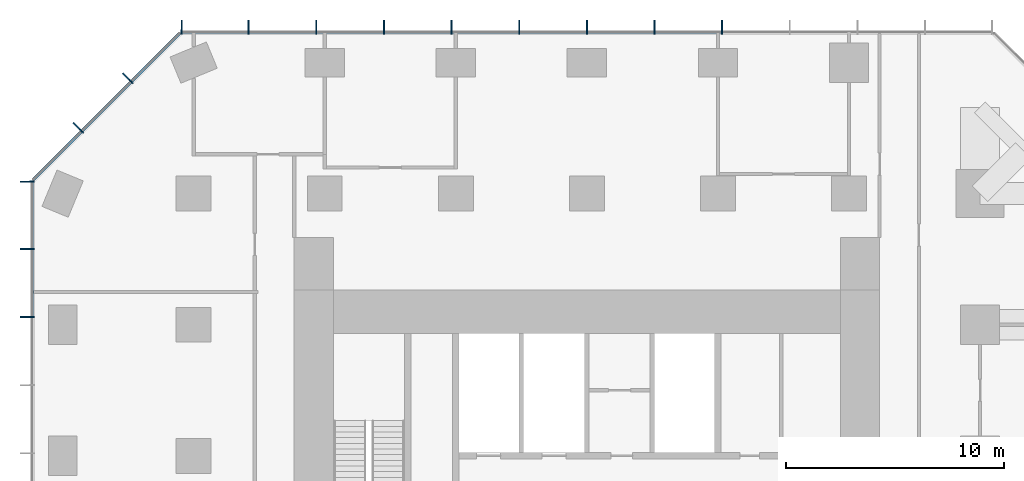
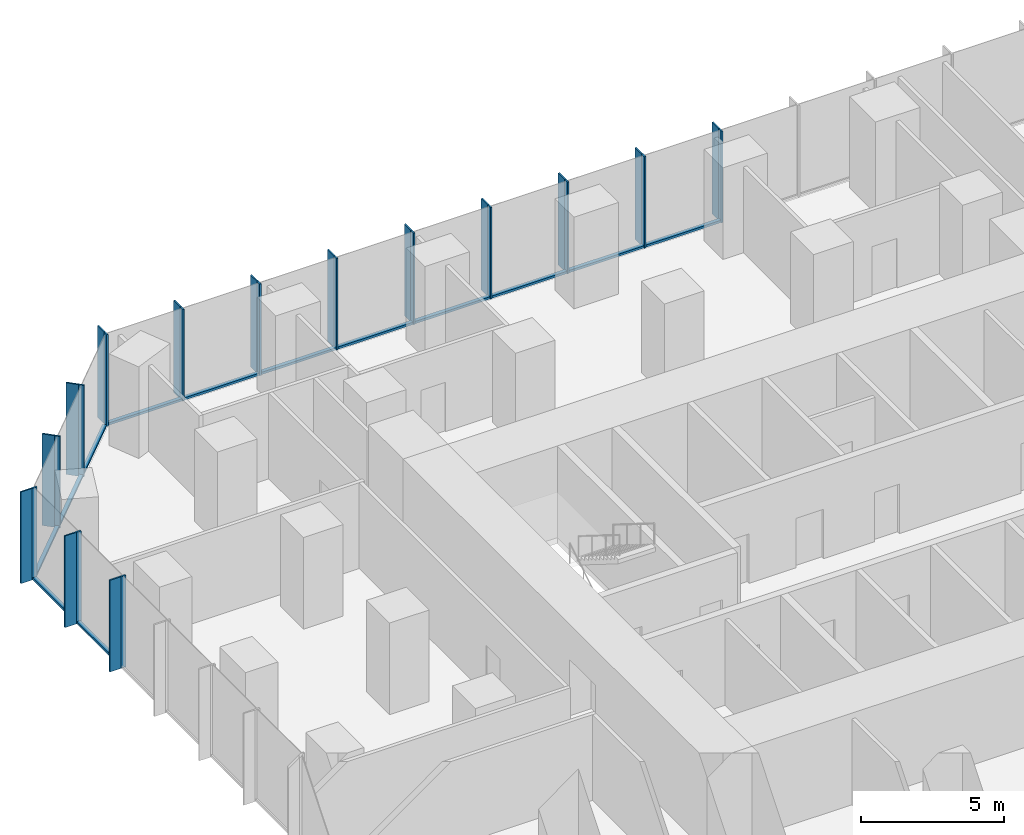
# One storey, part 5 of 11: 41 members, 3 elements without a shape of their own.
"""IFC4 building model written with IfcOpenShell, lengths in metres."""

from ifc_helpers import new_model, si_unit, direction, frame, origin, origin_2d, place, context, subcontext, project, spatial, rectangle, extrude, material, layer, layer_set, material_profile, profile_set, type_object, element, aggregate, save


model = new_model("IFC4")

# Units and contexts
model_context = context("Model", 3, precision=1e-05, world=origin(), true_north=direction((0.0, 1.0)))
body_context = subcontext(model_context, "Body", "Model", "MODEL_VIEW")
ifc_project = project(units=[si_unit("LENGTHUNIT", "METRE"), si_unit("AREAUNIT", "SQUARE_METRE"), si_unit("VOLUMEUNIT", "CUBIC_METRE"), si_unit("PLANEANGLEUNIT", "RADIAN"), si_unit("MASSUNIT", "GRAM", prefix="KILO")], contexts=[model_context])

# Site, building, storey
site_placement = place(None, origin())
site = spatial("IfcSite", under=ifc_project, at=site_placement, CompositionType="ELEMENT")
building_placement = place(site_placement, origin())
building = spatial("IfcBuilding", under=site, at=building_placement, Name="Highveld Stack Headquarters", CompositionType="ELEMENT")
storey_placement = place(building_placement, frame((0.0, 0.0, 152.300048828125)))
storey = spatial("IfcBuildingStorey", under=building, at=storey_placement, Name="L37", CompositionType="ELEMENT", Elevation=152.300048828125)

# Curtain wall, members
ifc_material_1 = material(Name="Aluminium bronze anodised", Category="aluminium")
ifc_layer_1 = layer(ifc_material_1, 0.199951171875)
ifc_layer_set_1 = layer_set([ifc_layer_1], Name="Aluminium bronze anodised")
curtain_wall_type_1 = type_object("IfcCurtainWallType", Name="CW1 TOWER UNITISED CURTAIN WALL", PredefinedType="NOTDEFINED", material=ifc_layer_set_1)
curtain_wall_1_placement = place(storey_placement, origin())
curtain_wall_1 = element("IfcCurtainWall", 1, at=curtain_wall_1_placement, inside=storey, type_object=curtain_wall_type_1, Name="Curtain wall CW1 L37 N", PredefinedType="NOTDEFINED")
ifc_material_2 = material(Name="Aluminium bronze anodised", Category="aluminium")
ifc_material_profile_1 = material_profile(ifc_material_2, rectangle(XDim=0.449951171875, YDim=0.06005859375, at=origin_2d()), Name="FIN 450x60")
ifc_profile_set_1 = profile_set([ifc_material_profile_1], Name="Aluminium bronze anodised")
member_type_1 = type_object("IfcMemberType", Name="CW1 BRONZE FIN 450x60", PredefinedType="USERDEFINED", material=ifc_profile_set_1)
member_1_placement = place(storey_placement, frame((12.193359375, 25.72509765625, 0.0), z_axis=(0.0, 0.0, 1.0), x_axis=(0.0, -1.0, 0.0)))
member_1 = element("IfcMember", 2, at=member_1_placement, type_object=member_type_1, Name="CW1 fin L37 5", ObjectType="FIN", PredefinedType="USERDEFINED", context=body_context, shape_type="SweptSolid", body=[
    extrude(rectangle(XDim=0.449951171875, YDim=0.06005859375, at=origin_2d()), origin(), (0.0, 0.0, 1.0), 3.89990234375),
])
member_2_placement = place(storey_placement, frame((9.0966796875, 25.72509765625, 0.0), z_axis=(0.0, 0.0, 1.0), x_axis=(0.0, -1.0, 0.0)))
member_2 = element("IfcMember", 3, at=member_2_placement, type_object=member_type_1, Name="CW1 fin L37 6", ObjectType="FIN", PredefinedType="USERDEFINED", context=body_context, shape_type="SweptSolid", body=[
    extrude(rectangle(XDim=0.449951171875, YDim=0.06005859375, at=origin_2d()), origin(), (0.0, 0.0, 1.0), 3.89990234375),
])
member_3_placement = place(storey_placement, frame((6.0, 25.72509765625, 0.0), z_axis=(0.0, 0.0, 1.0), x_axis=(0.0, -1.0, 0.0)))
member_3 = element("IfcMember", 4, at=member_3_placement, type_object=member_type_1, Name="CW1 fin L37 7", ObjectType="FIN", PredefinedType="USERDEFINED", context=body_context, shape_type="SweptSolid", body=[
    extrude(rectangle(XDim=0.449951171875, YDim=0.06005859375, at=origin_2d()), origin(), (0.0, 0.0, 1.0), 3.89990234375),
])
member_4_placement = place(storey_placement, frame((2.9033203125, 25.72509765625, 0.0), z_axis=(0.0, 0.0, 1.0), x_axis=(0.0, -1.0, 0.0)))
member_4 = element("IfcMember", 5, at=member_4_placement, type_object=member_type_1, Name="CW1 fin L37 8", ObjectType="FIN", PredefinedType="USERDEFINED", context=body_context, shape_type="SweptSolid", body=[
    extrude(rectangle(XDim=0.449951171875, YDim=0.06005859375, at=origin_2d()), origin(), (0.0, 0.0, 1.0), 3.89990234375),
])
member_5_placement = place(storey_placement, frame((-0.193359375, 25.72509765625, 0.0), z_axis=(0.0, 0.0, 1.0), x_axis=(0.0, -1.0, 0.0)))
member_5 = element("IfcMember", 6, at=member_5_placement, type_object=member_type_1, Name="CW1 fin L37 9", ObjectType="FIN", PredefinedType="USERDEFINED", context=body_context, shape_type="SweptSolid", body=[
    extrude(rectangle(XDim=0.449951171875, YDim=0.06005859375, at=origin_2d()), origin(), (0.0, 0.0, 1.0), 3.89990234375),
])
member_6_placement = place(storey_placement, frame((-3.2900390625, 25.72509765625, 0.0), z_axis=(0.0, 0.0, 1.0), x_axis=(0.0, -1.0, 0.0)))
member_6 = element("IfcMember", 7, at=member_6_placement, type_object=member_type_1, Name="CW1 fin L37 10", ObjectType="FIN", PredefinedType="USERDEFINED", context=body_context, shape_type="SweptSolid", body=[
    extrude(rectangle(XDim=0.449951171875, YDim=0.06005859375, at=origin_2d()), origin(), (0.0, 0.0, 1.0), 3.89990234375),
])
member_7_placement = place(storey_placement, frame((-6.38671875, 25.72509765625, 0.0), z_axis=(0.0, 0.0, 1.0), x_axis=(0.0, -1.0, 0.0)))
member_7 = element("IfcMember", 8, at=member_7_placement, type_object=member_type_1, Name="CW1 fin L37 11", ObjectType="FIN", PredefinedType="USERDEFINED", context=body_context, shape_type="SweptSolid", body=[
    extrude(rectangle(XDim=0.449951171875, YDim=0.06005859375, at=origin_2d()), origin(), (0.0, 0.0, 1.0), 3.89990234375),
])
member_8_placement = place(storey_placement, frame((-9.4833984375, 25.72509765625, 0.0), z_axis=(0.0, 0.0, 1.0), x_axis=(0.0, -1.0, 0.0)))
member_8 = element("IfcMember", 9, at=member_8_placement, type_object=member_type_1, Name="CW1 fin L37 12", ObjectType="FIN", PredefinedType="USERDEFINED", context=body_context, shape_type="SweptSolid", body=[
    extrude(rectangle(XDim=0.449951171875, YDim=0.06005859375, at=origin_2d()), origin(), (0.0, 0.0, 1.0), 3.89990234375),
])
member_9_placement = place(storey_placement, frame((-12.54736328125, 25.72509765625, 0.0), z_axis=(0.0, 0.0, 1.0), x_axis=(0.0, -1.0, 0.0)))
member_9 = element("IfcMember", 10, at=member_9_placement, type_object=member_type_1, Name="CW1 fin L37 13", ObjectType="FIN", PredefinedType="USERDEFINED", context=body_context, shape_type="SweptSolid", body=[
    extrude(rectangle(XDim=0.449951171875, YDim=0.06005859375, at=origin_2d()), origin(), (0.0, 0.0, 1.0), 3.89990234375),
])

curtain_wall_2_placement = place(storey_placement, origin())
curtain_wall_2 = element("IfcCurtainWall", 11, at=curtain_wall_2_placement, inside=storey, type_object=curtain_wall_type_1, Name="Curtain wall CW1 L37 W", PredefinedType="NOTDEFINED")
member_10_placement = place(storey_placement, frame((-19.72509765625, 18.54736328125, 0.0), z_axis=(0.0, 0.0, 1.0), x_axis=(1.0, 0.0, 0.0)))
member_10 = element("IfcMember", 12, at=member_10_placement, type_object=member_type_1, Name="CW1 fin L37 1", ObjectType="FIN", PredefinedType="USERDEFINED", context=body_context, shape_type="SweptSolid", body=[
    extrude(rectangle(XDim=0.449951171875, YDim=0.06005859375, at=origin_2d()), origin(), (0.0, 0.0, 1.0), 3.89990234375),
])
member_11_placement = place(storey_placement, frame((-19.72509765625, 15.4638671875, 0.0), z_axis=(0.0, 0.0, 1.0), x_axis=(1.0, 0.0, 0.0)))
member_11 = element("IfcMember", 13, at=member_11_placement, type_object=member_type_1, Name="CW1 fin L37 2", ObjectType="FIN", PredefinedType="USERDEFINED", context=body_context, shape_type="SweptSolid", body=[
    extrude(rectangle(XDim=0.449951171875, YDim=0.06005859375, at=origin_2d()), origin(), (0.0, 0.0, 1.0), 3.89990234375),
])
member_12_placement = place(storey_placement, frame((-19.72509765625, 12.347900390625, 0.0), z_axis=(0.0, 0.0, 1.0), x_axis=(1.0, 0.0, 0.0)))
member_12 = element("IfcMember", 14, at=member_12_placement, type_object=member_type_1, Name="CW1 fin L37 3", ObjectType="FIN", PredefinedType="USERDEFINED", context=body_context, shape_type="SweptSolid", body=[
    extrude(rectangle(XDim=0.449951171875, YDim=0.06005859375, at=origin_2d()), origin(), (0.0, 0.0, 1.0), 3.89990234375),
])

# Member
ifc_material_3 = material(Name="Aluminium bronze anodised", Category="aluminium")
ifc_material_profile_2 = material_profile(ifc_material_3, rectangle(XDim=0.199951171875, YDim=0.06494140625, at=origin_2d()), Name="CW1 MULLION 65x200")
ifc_profile_set_2 = profile_set([ifc_material_profile_2], Name="Aluminium bronze anodised")
member_type_2 = type_object("IfcMemberType", Name="CW1 MULLION 65x200", PredefinedType="MULLION", material=ifc_profile_set_2)
member_13_placement = place(storey_placement, frame((12.193359375, 25.39990234375, 0.0), z_axis=(0.0, 0.0, 1.0), x_axis=(0.0, -1.0, 0.0)))
member_13 = element("IfcMember", 15, at=member_13_placement, type_object=member_type_2, Name="CW1 mullion L37 5", PredefinedType="MULLION", context=body_context, shape_type="SweptSolid", body=[
    extrude(rectangle(XDim=0.199951171875, YDim=0.06494140625, at=origin_2d()), origin(), (0.0, 0.0, 1.0), 3.89990234375),
])

member_14_placement = place(storey_placement, frame((9.0966796875, 25.39990234375, 0.0), z_axis=(0.0, 0.0, 1.0), x_axis=(0.0, -1.0, 0.0)))
member_14 = element("IfcMember", 16, at=member_14_placement, type_object=member_type_2, Name="CW1 mullion L37 6", PredefinedType="MULLION", context=body_context, shape_type="SweptSolid", body=[
    extrude(rectangle(XDim=0.199951171875, YDim=0.06494140625, at=origin_2d()), origin(), (0.0, 0.0, 1.0), 3.89990234375),
])

member_15_placement = place(storey_placement, frame((6.0, 25.39990234375, 0.0), z_axis=(0.0, 0.0, 1.0), x_axis=(0.0, -1.0, 0.0)))
member_15 = element("IfcMember", 17, at=member_15_placement, type_object=member_type_2, Name="CW1 mullion L37 7", PredefinedType="MULLION", context=body_context, shape_type="SweptSolid", body=[
    extrude(rectangle(XDim=0.199951171875, YDim=0.06494140625, at=origin_2d()), origin(), (0.0, 0.0, 1.0), 3.89990234375),
])

member_16_placement = place(storey_placement, frame((2.9033203125, 25.39990234375, 0.0), z_axis=(0.0, 0.0, 1.0), x_axis=(0.0, -1.0, 0.0)))
member_16 = element("IfcMember", 18, at=member_16_placement, type_object=member_type_2, Name="CW1 mullion L37 8", PredefinedType="MULLION", context=body_context, shape_type="SweptSolid", body=[
    extrude(rectangle(XDim=0.199951171875, YDim=0.06494140625, at=origin_2d()), origin(), (0.0, 0.0, 1.0), 3.89990234375),
])

member_17_placement = place(storey_placement, frame((-0.193359375, 25.39990234375, 0.0), z_axis=(0.0, 0.0, 1.0), x_axis=(0.0, -1.0, 0.0)))
member_17 = element("IfcMember", 19, at=member_17_placement, type_object=member_type_2, Name="CW1 mullion L37 9", PredefinedType="MULLION", context=body_context, shape_type="SweptSolid", body=[
    extrude(rectangle(XDim=0.199951171875, YDim=0.06494140625, at=origin_2d()), origin(), (0.0, 0.0, 1.0), 3.89990234375),
])

member_18_placement = place(storey_placement, frame((-3.2900390625, 25.39990234375, 0.0), z_axis=(0.0, 0.0, 1.0), x_axis=(0.0, -1.0, 0.0)))
member_18 = element("IfcMember", 20, at=member_18_placement, type_object=member_type_2, Name="CW1 mullion L37 10", PredefinedType="MULLION", context=body_context, shape_type="SweptSolid", body=[
    extrude(rectangle(XDim=0.199951171875, YDim=0.06494140625, at=origin_2d()), origin(), (0.0, 0.0, 1.0), 3.89990234375),
])

member_19_placement = place(storey_placement, frame((-6.38671875, 25.39990234375, 0.0), z_axis=(0.0, 0.0, 1.0), x_axis=(0.0, -1.0, 0.0)))
member_19 = element("IfcMember", 21, at=member_19_placement, type_object=member_type_2, Name="CW1 mullion L37 11", PredefinedType="MULLION", context=body_context, shape_type="SweptSolid", body=[
    extrude(rectangle(XDim=0.199951171875, YDim=0.06494140625, at=origin_2d()), origin(), (0.0, 0.0, 1.0), 3.89990234375),
])

member_20_placement = place(storey_placement, frame((-9.4833984375, 25.39990234375, 0.0), z_axis=(0.0, 0.0, 1.0), x_axis=(0.0, -1.0, 0.0)))
member_20 = element("IfcMember", 22, at=member_20_placement, type_object=member_type_2, Name="CW1 mullion L37 12", PredefinedType="MULLION", context=body_context, shape_type="SweptSolid", body=[
    extrude(rectangle(XDim=0.199951171875, YDim=0.06494140625, at=origin_2d()), origin(), (0.0, 0.0, 1.0), 3.89990234375),
])

member_21_placement = place(storey_placement, frame((-12.54736328125, 25.39990234375, 0.0), z_axis=(0.0, 0.0, 1.0), x_axis=(0.0, -1.0, 0.0)))
member_21 = element("IfcMember", 23, at=member_21_placement, type_object=member_type_2, Name="CW1 mullion L37 13", PredefinedType="MULLION", context=body_context, shape_type="SweptSolid", body=[
    extrude(rectangle(XDim=0.199951171875, YDim=0.06494140625, at=origin_2d()), origin(), (0.0, 0.0, 1.0), 3.89990234375),
])

member_22_placement = place(storey_placement, frame((-19.39990234375, 18.54736328125, 0.0), z_axis=(0.0, 0.0, 1.0), x_axis=(1.0, 0.0, 0.0)))
member_22 = element("IfcMember", 24, at=member_22_placement, type_object=member_type_2, Name="CW1 mullion L37 1", PredefinedType="MULLION", context=body_context, shape_type="SweptSolid", body=[
    extrude(rectangle(XDim=0.199951171875, YDim=0.06494140625, at=origin_2d()), origin(), (0.0, 0.0, 1.0), 3.89990234375),
])

member_23_placement = place(storey_placement, frame((-19.39990234375, 15.4638671875, 0.0), z_axis=(0.0, 0.0, 1.0), x_axis=(1.0, 0.0, 0.0)))
member_23 = element("IfcMember", 25, at=member_23_placement, type_object=member_type_2, Name="CW1 mullion L37 2", PredefinedType="MULLION", context=body_context, shape_type="SweptSolid", body=[
    extrude(rectangle(XDim=0.199951171875, YDim=0.06494140625, at=origin_2d()), origin(), (0.0, 0.0, 1.0), 3.89990234375),
])

member_24_placement = place(storey_placement, frame((-19.39990234375, 12.347900390625, 0.0), z_axis=(0.0, 0.0, 1.0), x_axis=(1.0, 0.0, 0.0)))
member_24 = element("IfcMember", 26, at=member_24_placement, type_object=member_type_2, Name="CW1 mullion L37 3", PredefinedType="MULLION", context=body_context, shape_type="SweptSolid", body=[
    extrude(rectangle(XDim=0.199951171875, YDim=0.06494140625, at=origin_2d()), origin(), (0.0, 0.0, 1.0), 3.89990234375),
])

ifc_material_4 = material(Name="Aluminium bronze anodised", Category="aluminium")
ifc_material_profile_3 = material_profile(ifc_material_4, rectangle(XDim=0.14990234375, YDim=0.10009765625, at=origin_2d()), Name="CW1 TRANSOM 150x100")
ifc_profile_set_3 = profile_set([ifc_material_profile_3], Name="Aluminium bronze anodised")
member_type_3 = type_object("IfcMemberType", Name="CW1 STACK TRANSOM 150x100", PredefinedType="USERDEFINED", material=ifc_profile_set_3)
member_25_placement = place(storey_placement, frame((12.160888671875, 25.39990234375, 0.050048828125), z_axis=(-1.0, 0.0, 0.0), x_axis=(0.0, -1.0, 0.0)))
member_25 = element("IfcMember", 27, at=member_25_placement, type_object=member_type_3, Name="CW1 transom L37 5.1", ObjectType="TRANSOM", PredefinedType="USERDEFINED", context=body_context, shape_type="SweptSolid", body=[
    extrude(rectangle(XDim=0.14990234375, YDim=0.10009765625, at=origin_2d()), origin(), (0.0, 0.0, 1.0), 3.03173828125),
])

member_26_placement = place(storey_placement, frame((9.064208984375, 25.39990234375, 0.050048828125), z_axis=(-1.0, 0.0, 0.0), x_axis=(0.0, -1.0, 0.0)))
member_26 = element("IfcMember", 28, at=member_26_placement, type_object=member_type_3, Name="CW1 transom L37 6.1", ObjectType="TRANSOM", PredefinedType="USERDEFINED", context=body_context, shape_type="SweptSolid", body=[
    extrude(rectangle(XDim=0.14990234375, YDim=0.10009765625, at=origin_2d()), origin(), (0.0, 0.0, 1.0), 3.03173828125),
])

member_27_placement = place(storey_placement, frame((5.967529296875, 25.39990234375, 0.050048828125), z_axis=(-1.0, 0.0, 0.0), x_axis=(0.0, -1.0, 0.0)))
member_27 = element("IfcMember", 29, at=member_27_placement, type_object=member_type_3, Name="CW1 transom L37 7.1", ObjectType="TRANSOM", PredefinedType="USERDEFINED", context=body_context, shape_type="SweptSolid", body=[
    extrude(rectangle(XDim=0.14990234375, YDim=0.10009765625, at=origin_2d()), origin(), (0.0, 0.0, 1.0), 3.03173828125),
])

member_28_placement = place(storey_placement, frame((2.870849609375, 25.39990234375, 0.050048828125), z_axis=(-1.0, 0.0, 0.0), x_axis=(0.0, -1.0, 0.0)))
member_28 = element("IfcMember", 30, at=member_28_placement, type_object=member_type_3, Name="CW1 transom L37 8.1", ObjectType="TRANSOM", PredefinedType="USERDEFINED", context=body_context, shape_type="SweptSolid", body=[
    extrude(rectangle(XDim=0.14990234375, YDim=0.10009765625, at=origin_2d()), origin(), (0.0, 0.0, 1.0), 3.03173828125),
])

member_29_placement = place(storey_placement, frame((-0.225830078125, 25.39990234375, 0.050048828125), z_axis=(-1.0, 0.0, 0.0), x_axis=(0.0, -1.0, 0.0)))
member_29 = element("IfcMember", 31, at=member_29_placement, type_object=member_type_3, Name="CW1 transom L37 9.1", ObjectType="TRANSOM", PredefinedType="USERDEFINED", context=body_context, shape_type="SweptSolid", body=[
    extrude(rectangle(XDim=0.14990234375, YDim=0.10009765625, at=origin_2d()), origin(), (0.0, 0.0, 1.0), 3.03173828125),
])

member_30_placement = place(storey_placement, frame((-3.322509765625, 25.39990234375, 0.050048828125), z_axis=(-1.0, 0.0, 0.0), x_axis=(0.0, -1.0, 0.0)))
member_30 = element("IfcMember", 32, at=member_30_placement, type_object=member_type_3, Name="CW1 transom L37 10.1", ObjectType="TRANSOM", PredefinedType="USERDEFINED", context=body_context, shape_type="SweptSolid", body=[
    extrude(rectangle(XDim=0.14990234375, YDim=0.10009765625, at=origin_2d()), origin(), (0.0, 0.0, 1.0), 3.031494140625),
])

member_31_placement = place(storey_placement, frame((-6.419189453125, 25.39990234375, 0.050048828125), z_axis=(-1.0, 0.0, 0.0), x_axis=(0.0, -1.0, 0.0)))
member_31 = element("IfcMember", 33, at=member_31_placement, type_object=member_type_3, Name="CW1 transom L37 11.1", ObjectType="TRANSOM", PredefinedType="USERDEFINED", context=body_context, shape_type="SweptSolid", body=[
    extrude(rectangle(XDim=0.14990234375, YDim=0.10009765625, at=origin_2d()), origin(), (0.0, 0.0, 1.0), 3.031494140625),
])

member_32_placement = place(storey_placement, frame((-9.515869140625, 25.39990234375, 0.050048828125), z_axis=(-1.0, 0.0, 0.0), x_axis=(0.0, -1.0, 0.0)))
member_32 = element("IfcMember", 34, at=member_32_placement, type_object=member_type_3, Name="CW1 transom L37 12.1", ObjectType="TRANSOM", PredefinedType="USERDEFINED", context=body_context, shape_type="SweptSolid", body=[
    extrude(rectangle(XDim=0.14990234375, YDim=0.10009765625, at=origin_2d()), origin(), (0.0, 0.0, 1.0), 2.9990234375),
])

aggregate(curtain_wall_1, [member_13, member_1, member_14, member_2, member_15, member_3, member_16, member_4, member_17, member_5, member_18, member_6, member_19, member_7, member_20, member_8, member_21, member_9, member_25, member_26, member_27, member_28, member_29, member_30, member_31, member_32])

member_33_placement = place(storey_placement, frame((-19.39990234375, 18.514892578125, 0.050048828125), z_axis=(0.0, -1.0, 0.0), x_axis=(1.0, 0.0, 0.0)))
member_33 = element("IfcMember", 35, at=member_33_placement, type_object=member_type_3, Name="CW1 transom L37 1.1", ObjectType="TRANSOM", PredefinedType="USERDEFINED", context=body_context, shape_type="SweptSolid", body=[
    extrude(rectangle(XDim=0.14990234375, YDim=0.10009765625, at=origin_2d()), origin(), (0.0, 0.0, 1.0), 3.0185546875),
])

member_34_placement = place(storey_placement, frame((-19.39990234375, 15.431396484375, 0.050048828125), z_axis=(0.0, -1.0, 0.0), x_axis=(1.0, 0.0, 0.0)))
member_34 = element("IfcMember", 36, at=member_34_placement, type_object=member_type_3, Name="CW1 transom L37 2.1", ObjectType="TRANSOM", PredefinedType="USERDEFINED", context=body_context, shape_type="SweptSolid", body=[
    extrude(rectangle(XDim=0.14990234375, YDim=0.10009765625, at=origin_2d()), origin(), (0.0, 0.0, 1.0), 3.051025390625),
])

aggregate(curtain_wall_2, [member_22, member_10, member_23, member_11, member_24, member_12, member_33, member_34])

# Curtain wall, members
ifc_material_5 = material(Name="Aluminium bronze anodised", Category="aluminium")
ifc_layer_2 = layer(ifc_material_5, 0.199951171875)
ifc_layer_set_2 = layer_set([ifc_layer_2], Name="Aluminium bronze anodised")
curtain_wall_type_2 = type_object("IfcCurtainWallType", Name="CW2 TOWER CHAMFER UNITISED CURTAIN WALL", PredefinedType="NOTDEFINED", material=ifc_layer_set_2)
curtain_wall_3_placement = place(storey_placement, origin())
curtain_wall_3 = element("IfcCurtainWall", 37, at=curtain_wall_3_placement, inside=storey, type_object=curtain_wall_type_2, Name="Curtain wall CW2 L37 NW", PredefinedType="NOTDEFINED")
ifc_material_6 = material(Name="Aluminium bronze anodised", Category="aluminium")
ifc_material_profile_4 = material_profile(ifc_material_6, rectangle(XDim=0.449951171875, YDim=0.06005859375, at=origin_2d()), Name="FIN 450x60")
ifc_profile_set_4 = profile_set([ifc_material_profile_4], Name="Aluminium bronze anodised")
member_type_4 = type_object("IfcMemberType", Name="CW2 BRONZE FIN 450x60", PredefinedType="USERDEFINED", material=ifc_profile_set_4)
member_35_placement = place(storey_placement, frame((-15.0830078125, 23.3564453125, 0.0), z_axis=(0.0, 0.0, 1.0), x_axis=(0.707106781187, -0.707106781187, 0.0)))
member_35 = element("IfcMember", 38, at=member_35_placement, type_object=member_type_4, Name="CW2 fin L37 1", ObjectType="FIN", PredefinedType="USERDEFINED", context=body_context, shape_type="SweptSolid", body=[
    extrude(rectangle(XDim=0.449951171875, YDim=0.06005859375, at=origin_2d()), origin(), (0.0, 0.0, 1.0), 3.89990234375),
])
member_36_placement = place(storey_placement, frame((-17.3564453125, 21.0830078125, 0.0), z_axis=(0.0, 0.0, 1.0), x_axis=(0.707106781187, -0.707106781187, 0.0)))
member_36 = element("IfcMember", 39, at=member_36_placement, type_object=member_type_4, Name="CW2 fin L37 2", ObjectType="FIN", PredefinedType="USERDEFINED", context=body_context, shape_type="SweptSolid", body=[
    extrude(rectangle(XDim=0.449951171875, YDim=0.06005859375, at=origin_2d()), origin(), (0.0, 0.0, 1.0), 3.89990234375),
])
ifc_material_7 = material(Name="Aluminium bronze anodised", Category="aluminium")
ifc_material_profile_5 = material_profile(ifc_material_7, rectangle(XDim=0.199951171875, YDim=0.06494140625, at=origin_2d()), Name="CW2 MULLION 65x200")
ifc_profile_set_5 = profile_set([ifc_material_profile_5], Name="Aluminium bronze anodised")
member_type_5 = type_object("IfcMemberType", Name="CW2 MULLION 65x200", PredefinedType="MULLION", material=ifc_profile_set_5)
member_37_placement = place(storey_placement, frame((-14.853271484375, 23.126708984375, 0.0), z_axis=(0.0, 0.0, 1.0), x_axis=(0.707106781187, -0.707106781187, 0.0)))
member_37 = element("IfcMember", 40, at=member_37_placement, type_object=member_type_5, Name="CW2 mullion L37 1", PredefinedType="MULLION", context=body_context, shape_type="SweptSolid", body=[
    extrude(rectangle(XDim=0.199951171875, YDim=0.06494140625, at=origin_2d()), origin(), (0.0, 0.0, 1.0), 3.89990234375),
])
member_38_placement = place(storey_placement, frame((-17.126708984375, 20.853271484375, 0.0), z_axis=(0.0, 0.0, 1.0), x_axis=(0.707106781187, -0.707106781187, 0.0)))
member_38 = element("IfcMember", 41, at=member_38_placement, type_object=member_type_5, Name="CW2 mullion L37 2", PredefinedType="MULLION", context=body_context, shape_type="SweptSolid", body=[
    extrude(rectangle(XDim=0.199951171875, YDim=0.06494140625, at=origin_2d()), origin(), (0.0, 0.0, 1.0), 3.89990234375),
])
ifc_material_8 = material(Name="Aluminium bronze anodised", Category="aluminium")
ifc_material_profile_6 = material_profile(ifc_material_8, rectangle(XDim=0.14990234375, YDim=0.10009765625, at=origin_2d()), Name="CW2 TRANSOM 150x100")
ifc_profile_set_6 = profile_set([ifc_material_profile_6], Name="Aluminium bronze anodised")
member_type_6 = type_object("IfcMemberType", Name="CW2 STACK TRANSOM 150x100", PredefinedType="USERDEFINED", material=ifc_profile_set_6)
member_39_placement = place(storey_placement, frame((-12.650634765625, 25.329345703125, 0.050048828125), z_axis=(-0.707106781187, -0.707106781187, 0.0), x_axis=(0.707106781187, -0.707106781187, 0.0)))
member_39 = element("IfcMember", 42, at=member_39_placement, type_object=member_type_6, Name="CW2 transom L37 1.1", ObjectType="TRANSOM", PredefinedType="USERDEFINED", context=body_context, shape_type="SweptSolid", body=[
    extrude(rectangle(XDim=0.14990234375, YDim=0.10009765625, at=origin_2d()), origin(), (0.0, 0.0, 1.0), 3.08251953125),
])
member_40_placement = place(storey_placement, frame((-14.876220703125, 23.103759765625, 0.050048828125), z_axis=(-0.707106781187, -0.707106781187, 0.0), x_axis=(0.707106781187, -0.707106781187, 0.0)))
member_40 = element("IfcMember", 43, at=member_40_placement, type_object=member_type_6, Name="CW2 transom L37 2.1", ObjectType="TRANSOM", PredefinedType="USERDEFINED", context=body_context, shape_type="SweptSolid", body=[
    extrude(rectangle(XDim=0.14990234375, YDim=0.10009765625, at=origin_2d()), origin(), (0.0, 0.0, 1.0), 3.150146484375),
])
member_41_placement = place(storey_placement, frame((-17.149658203125, 20.830322265625, 0.050048828125), z_axis=(-0.707106781187, -0.707106781187, 0.0), x_axis=(0.707106781187, -0.707106781187, 0.0)))
member_41 = element("IfcMember", 44, at=member_41_placement, type_object=member_type_6, Name="CW2 transom L37 3.1", ObjectType="TRANSOM", PredefinedType="USERDEFINED", context=body_context, shape_type="SweptSolid", body=[
    extrude(rectangle(XDim=0.14990234375, YDim=0.10009765625, at=origin_2d()), origin(), (0.0, 0.0, 1.0), 3.08251953125),
])
aggregate(curtain_wall_3, [member_37, member_35, member_38, member_36, member_39, member_40, member_41])

save(model, "model.ifc")
